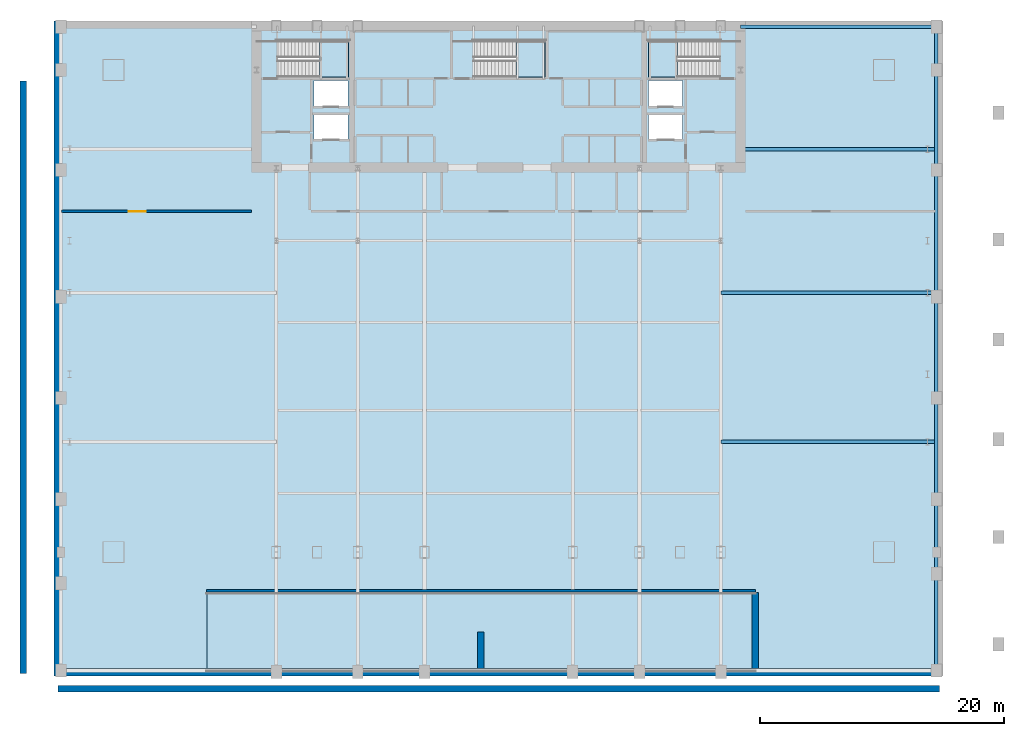
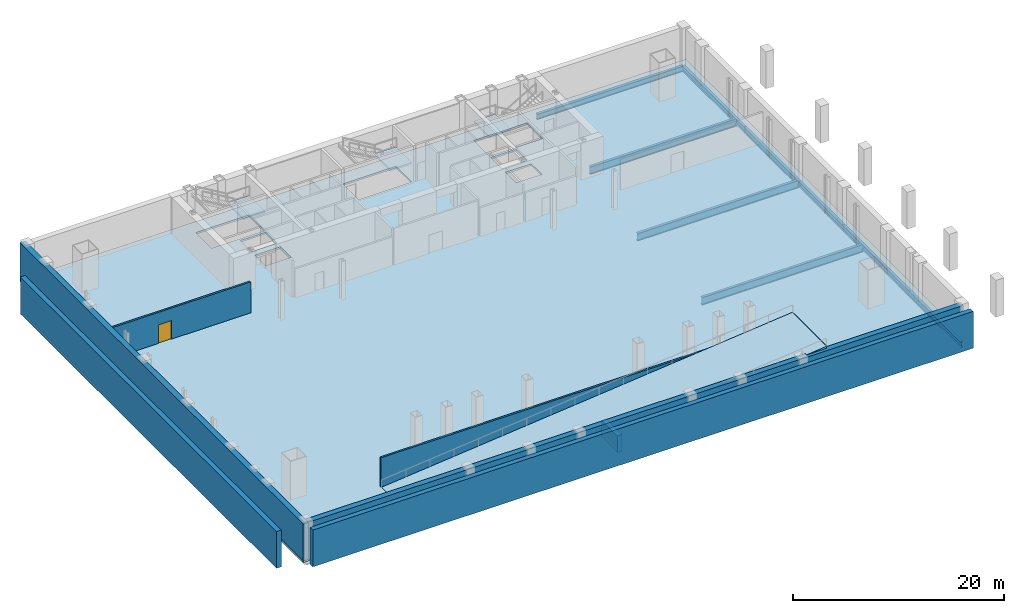
# One storey, part 6 of 10: 9 beams, 8 walls, 5 slabs, 1 door, 1 opening, 3 elements without a shape of their own.
"""IFC4 building model written with IfcOpenShell, lengths in metres."""

from ifc_helpers import new_model, si_unit, direction, frame, frame_2d, origin, origin_2d, place, context, subcontext, project, spatial, polyline, rectangle, i_section, outline, extrude, material, layer, layer_set, material_profile, profile_set, type_object, element, fill, aggregate, save


model = new_model("IFC4")

# Units and contexts
model_context = context("Model", 3, precision=1e-05, world=origin(), true_north=direction((0.0, 1.0)))
body_context = subcontext(model_context, "Body", "Model", "MODEL_VIEW")
ifc_project = project(units=[si_unit("LENGTHUNIT", "METRE"), si_unit("AREAUNIT", "SQUARE_METRE"), si_unit("VOLUMEUNIT", "CUBIC_METRE"), si_unit("PLANEANGLEUNIT", "RADIAN"), si_unit("MASSUNIT", "GRAM", prefix="KILO")], contexts=[model_context])

# Site, building, storey
site_placement = place(None, origin())
site = spatial("IfcSite", under=ifc_project, at=site_placement, CompositionType="ELEMENT")
building_placement = place(site_placement, origin())
building = spatial("IfcBuilding", under=site, at=building_placement, Name="Khoronbel Lancet Exchange", CompositionType="ELEMENT")
storey_placement = place(building_placement, frame((0.0, 0.0, -4.5)))
storey = spatial("IfcBuildingStorey", under=building, at=storey_placement, Name="B1", CompositionType="ELEMENT", Elevation=-4.5)

# Beams
ifc_material_1 = material(Name="Steel S355", Category="steel")
ifc_material_profile_1 = material_profile(ifc_material_1, i_section(OverallWidth=0.300048828125, OverallDepth=0.89990234375, WebThickness=0.0185546875, FlangeThickness=0.034912109375, at=origin_2d()), Name="HEB 900")
ifc_profile_set_1 = profile_set([ifc_material_profile_1], Name="Steel S355")
beam_type_1 = type_object("IfcBeamType", Name="BM-BG1", PredefinedType="BEAM", material=ifc_profile_set_1)
for number, where, z_axis, x_axis, name in (
    (1, (54.675048828125, 19.199951171875, -0.669921875), (1.0, 0.0, 0.0), (0.0, 1.0, 0.0), "Level B1 east lens tie girder LG1E"),
    (2, (54.675048828125, 31.425048828125, -0.669921875), (1.0, 0.0, 0.0), (0.0, 1.0, 0.0), "Level B1 east lens tie girder LG2E"),
):
    element("IfcBeam", number, at=place(storey_placement, frame(where, z_axis=z_axis, x_axis=x_axis)), inside=storey, type_object=beam_type_1, Name=name, PredefinedType="BEAM", context=body_context, shape_type="SweptSolid", body=[
        extrude(i_section(OverallWidth=0.300048828125, OverallDepth=0.89990234375, WebThickness=0.0185546875, FlangeThickness=0.034912109375, at=origin_2d()), origin(), (0.0, 0.0, 1.0), 17.675048828125),
    ])
beam_1_placement = place(storey_placement, frame((56.300048828125, 43.199951171875, -0.669921875), z_axis=(1.0, 0.0, 0.0), x_axis=(0.0, 1.0, 0.0)))
element("IfcBeam", 3, at=beam_1_placement, inside=storey, type_object=beam_type_1, Name="Level B1 east lens tie girder LG3E", PredefinedType="BEAM", context=body_context, shape_type="SweptSolid", body=[
    extrude(i_section(OverallWidth=0.300048828125, OverallDepth=0.89990234375, WebThickness=0.0185546875, FlangeThickness=0.034912109375, at=origin_2d()), origin(), (0.0, 0.0, 1.0), 16.050048828125),
])
ifc_material_profile_2 = material_profile(ifc_material_1, i_section(OverallWidth=0.300048828125, OverallDepth=0.64990234375, WebThickness=0.01611328125, FlangeThickness=0.031005859375, at=origin_2d()), Name="HEB 650")
ifc_profile_set_2 = profile_set([ifc_material_profile_2], Name="Steel S355")
beam_type_2 = type_object("IfcBeamType", Name="BM-BSP1", PredefinedType="SPANDREL", material=ifc_profile_set_2)
beam_2_placement = place(storey_placement, frame((72.35009765625, 0.449951171875, -0.544921875), z_axis=(0.0, 1.0, 0.0), x_axis=(-1.0, 0.0, 0.0)))
element("IfcBeam", 4, at=beam_2_placement, inside=storey, type_object=beam_type_2, Name="Level B1 perimeter spandrel beam SP08", PredefinedType="SPANDREL", context=body_context, shape_type="SweptSolid", body=[
    extrude(i_section(OverallWidth=0.300048828125, OverallDepth=0.64990234375, WebThickness=0.01611328125, FlangeThickness=0.031005859375, at=origin_2d()), origin(), (0.0, 0.0, 1.0), 14.050048828125),
])
for number, where, z_axis, x_axis, name in (
    (5, (72.35009765625, 14.5, -0.544921875), (0.0, 1.0, 0.0), (-1.0, 0.0, 0.0), "Level B1 perimeter spandrel beam SP09"),
    (6, (72.35009765625, 22.800048828125, -0.544921875), (0.0, 1.0, 0.0), (-1.0, 0.0, 0.0), "Level B1 perimeter spandrel beam SP10"),
):
    element("IfcBeam", number, at=place(storey_placement, frame(where, z_axis=z_axis, x_axis=x_axis)), inside=storey, type_object=beam_type_2, Name=name, PredefinedType="SPANDREL", context=body_context, shape_type="SweptSolid", body=[
        extrude(i_section(OverallWidth=0.300048828125, OverallDepth=0.64990234375, WebThickness=0.01611328125, FlangeThickness=0.031005859375, at=origin_2d()), origin(), (0.0, 0.0, 1.0), 8.300048828125),
    ])
beam_3_placement = place(storey_placement, frame((72.35009765625, 31.10009765625, -0.544921875), z_axis=(0.0, 1.0, 0.0), x_axis=(-1.0, 0.0, 0.0)))
element("IfcBeam", 7, at=beam_3_placement, inside=storey, type_object=beam_type_2, Name="Level B1 perimeter spandrel beam SP11", PredefinedType="SPANDREL", context=body_context, shape_type="SweptSolid", body=[
    extrude(i_section(OverallWidth=0.300048828125, OverallDepth=0.64990234375, WebThickness=0.01611328125, FlangeThickness=0.031005859375, at=origin_2d()), origin(), (0.0, 0.0, 1.0), 10.39990234375),
])
beam_4_placement = place(storey_placement, frame((72.35009765625, 41.5, -0.544921875), z_axis=(0.0, 1.0, 0.0), x_axis=(-1.0, 0.0, 0.0)))
element("IfcBeam", 8, at=beam_4_placement, inside=storey, type_object=beam_type_2, Name="Level B1 perimeter spandrel beam SP12", PredefinedType="SPANDREL", context=body_context, shape_type="SweptSolid", body=[
    extrude(i_section(OverallWidth=0.300048828125, OverallDepth=0.64990234375, WebThickness=0.01611328125, FlangeThickness=0.031005859375, at=origin_2d()), origin(), (0.0, 0.0, 1.0), 11.75),
])
beam_5_placement = place(storey_placement, frame((72.35009765625, 53.25, -0.544921875), z_axis=(-1.0, 0.0, 0.0), x_axis=(0.0, -1.0, 0.0)))
element("IfcBeam", 9, at=beam_5_placement, inside=storey, type_object=beam_type_2, Name="Level B1 perimeter spandrel beam SP13", PredefinedType="SPANDREL", context=body_context, shape_type="SweptSolid", body=[
    extrude(i_section(OverallWidth=0.300048828125, OverallDepth=0.64990234375, WebThickness=0.01611328125, FlangeThickness=0.031005859375, at=origin_2d()), origin(), (0.0, 0.0, 1.0), 16.050048828125),
])

# Slab
ifc_material_2 = material(Name="Concrete C40/50", Category="concrete")
ifc_layer_1 = layer(ifc_material_2, 0.219970703125, Name="Concrete C40/50")
ifc_layer_set_1 = layer_set([ifc_layer_1], Name="Concrete C40/50")
slab_type_1 = type_object("IfcSlabType", Name="SL-FL220", PredefinedType="FLOOR", material=ifc_layer_set_1)
slab_1_placement = place(storey_placement, frame((0.0, 0.0, -0.219970703125)))
element("IfcSlab", 10, at=slab_1_placement, inside=storey, type_object=slab_type_1, Name="Level B1 composite structural floor slab", PredefinedType="FLOOR", context=body_context, shape_type="SweptSolid", body=[
    extrude(outline(polyline([(0.0, 0.0), (72.89990234375, 0.0), (72.89990234375, 53.699951171875), (0.0, 53.699951171875), (0.0, 0.0)]), holes=[polyline([(18.324951171875, 49.1201171875), (24.14990234375, 49.1201171875), (24.14990234375, 52.10009765625), (18.324951171875, 52.10009765625), (18.324951171875, 49.1201171875)]), polyline([(48.75, 49.1201171875), (54.574951171875, 49.1201171875), (54.574951171875, 52.10009765625), (48.75, 52.10009765625), (48.75, 49.1201171875)]), polyline([(34.425048828125, 49.1201171875), (40.25, 49.1201171875), (40.25, 52.10009765625), (34.425048828125, 52.10009765625), (34.425048828125, 49.1201171875)]), polyline([(21.300048828125, 46.75), (24.10009765625, 46.75), (24.10009765625, 48.85009765625), (21.300048828125, 48.85009765625), (21.300048828125, 46.75)]), polyline([(48.75, 46.75), (51.550048828125, 46.75), (51.550048828125, 48.85009765625), (48.75, 48.85009765625), (48.75, 46.75)]), polyline([(21.300048828125, 44.050048828125), (24.10009765625, 44.050048828125), (24.10009765625, 46.050048828125), (21.300048828125, 46.050048828125), (21.300048828125, 44.050048828125)]), polyline([(48.75, 44.050048828125), (51.550048828125, 44.050048828125), (51.550048828125, 46.050048828125), (48.75, 46.050048828125), (48.75, 44.050048828125)]), polyline([(12.52001953125, 0.35009765625), (57.5, 0.35009765625), (57.5, 6.85009765625), (12.52001953125, 6.85009765625), (12.52001953125, 0.35009765625)])]), origin(), (0.0, 0.0, 1.0), 0.219970703125),
])

# Stair, slab
stair_type = type_object("IfcStairType", Name="STR-CORE150", PredefinedType="HALF_TURN_STAIR", material=ifc_material_2)
stair_1_placement = place(storey_placement, origin())
stair_1 = element("IfcStair", 11, at=stair_1_placement, inside=storey, type_object=stair_type, Name="B1 Protected Exit Stair ST1", PredefinedType="HALF_TURN_STAIR")
ifc_layer_2 = layer(ifc_material_2, 0.199951171875, Name="Concrete C40/50")
ifc_layer_set_2 = layer_set([ifc_layer_2], Name="Concrete C40/50")
slab_type_2 = type_object("IfcSlabType", Name="SL-LND180", PredefinedType="LANDING", material=ifc_layer_set_2)
slab_2_placement = place(storey_placement, frame((0.0, 0.0, 2.050048828125)))
slab_2 = element("IfcSlab", 12, at=slab_2_placement, type_object=slab_type_2, Name="ST1 landing 1", PredefinedType="LANDING", context=body_context, shape_type="SweptSolid", body=[
    extrude(outline(polyline([(21.780029296875, 49.1201171875), (24.14990234375, 49.1201171875), (24.14990234375, 52.10009765625), (21.780029296875, 52.10009765625), (21.780029296875, 49.1201171875)])), origin(), (0.0, 0.0, 1.0), 0.199951171875),
])
aggregate(stair_1, [slab_2])

stair_2_placement = place(storey_placement, origin())
stair_2 = element("IfcStair", 13, at=stair_2_placement, inside=storey, type_object=stair_type, Name="B1 Protected Exit Stair ST2", PredefinedType="HALF_TURN_STAIR")
slab_3_placement = place(storey_placement, frame((0.0, 0.0, 2.050048828125)))
slab_3 = element("IfcSlab", 14, at=slab_3_placement, type_object=slab_type_2, Name="ST2 landing 1", PredefinedType="LANDING", context=body_context, shape_type="SweptSolid", body=[
    extrude(outline(polyline([(51.1201171875, 52.10009765625), (48.75, 52.10009765625), (48.75, 49.1201171875), (51.1201171875, 49.1201171875), (51.1201171875, 52.10009765625)])), origin(), (0.0, 0.0, 1.0), 0.199951171875),
])
aggregate(stair_2, [slab_3])

stair_3_placement = place(storey_placement, origin())
stair_3 = element("IfcStair", 15, at=stair_3_placement, inside=storey, type_object=stair_type, Name="B1 Protected Exit Stair ST3", PredefinedType="HALF_TURN_STAIR")
slab_4_placement = place(storey_placement, frame((0.0, 0.0, 2.050048828125)))
slab_4 = element("IfcSlab", 16, at=slab_4_placement, type_object=slab_type_2, Name="ST3 landing 1", PredefinedType="LANDING", context=body_context, shape_type="SweptSolid", body=[
    extrude(outline(polyline([(37.8798828125, 49.1201171875), (40.25, 49.1201171875), (40.25, 52.10009765625), (37.8798828125, 52.10009765625), (37.8798828125, 49.1201171875)])), origin(), (0.0, 0.0, 1.0), 0.199951171875),
])
aggregate(stair_3, [slab_4])

# Slab
ifc_layer_3 = layer(ifc_material_2, 0.300048828125, Name="Concrete C40/50")
ifc_layer_set_3 = layer_set([ifc_layer_3], Name="Concrete C40/50")
slab_type_3 = type_object("IfcSlabType", Name="SL-VR300", PredefinedType="FLOOR", material=ifc_layer_set_3)
slab_5_placement = place(storey_placement, frame((12.52490234375, 0.35498046875, 0.0), z_axis=(-0.099568970234, 0.0, 0.995030662928), x_axis=(0.0, 1.0, 0.0)))
element("IfcSlab", 17, at=slab_5_placement, inside=storey, type_object=slab_type_3, Name="Basement car park two-way vehicle ramp slab VR1", PredefinedType="FLOOR", context=body_context, shape_type="SweptSolid", body=[
    extrude(outline(polyline([(0.0, 0.0), (6.489990234375, 0.0), (6.489990234375, -45.19482421875), (0.0, -45.19482421875), (0.0, 0.0)])), origin(), (0.0, 0.0, -1.0), 0.300048828125),
])

# Wall
ifc_material_3 = material(Name="Autoclaved Aerated Concrete Blockwork 200 mm", Category="masonry")
ifc_layer_4 = layer(ifc_material_3, 0.199951171875, Name="Autoclaved Aerated Concrete Blockwork 200 mm")
ifc_layer_set_4 = layer_set([ifc_layer_4], Name="Autoclaved Aerated Concrete Blockwork 200 mm")
wall_type_1 = type_object("IfcWallType", Name="WL-PRT200", PredefinedType="PARTITIONING", material=ifc_layer_set_4)
wall_1_placement = place(storey_placement, frame((12.5, 7.0, 0.0), z_axis=(0.0, 0.0, 1.0), x_axis=(1.0, 0.0, 0.0)))
element("IfcWall", 18, at=wall_1_placement, inside=storey, type_object=wall_type_1, Name="Level B1 interior partition PW-B1-RMPN", PredefinedType="PARTITIONING", context=body_context, shape_type="SweptSolid", body=[
    extrude(rectangle(XDim=45.0, YDim=0.199951171875, at=frame_2d((22.5, 0.0))), origin(), (0.0, 0.0, 1.0), 3.3701171875),
])

# Wall, opening, door
wall_2_placement = place(storey_placement, frame((0.60009765625, 38.10009765625, 0.0), z_axis=(0.0, 0.0, 1.0), x_axis=(1.0, 0.0, 0.0)))
wall_2 = element("IfcWall", 19, at=wall_2_placement, inside=storey, type_object=wall_type_1, Name="Level B1 interior partition PW-B1-NW", PredefinedType="PARTITIONING", context=body_context, shape_type="SweptSolid", body=[
    extrude(rectangle(XDim=15.599853515625, YDim=0.199951171875, at=frame_2d((7.7998046875, 0.0))), origin(), (0.0, 0.0, 1.0), 3.590087890625),
])
opening_placement = place(wall_2_placement, frame((5.5, 0.0, 0.0)))
opening = element("IfcOpeningElement", 20, at=opening_placement, cuts=wall_2, Name="Opening D7", PredefinedType="OPENING", context=body_context, shape_type="SweptSolid", body=[
    extrude(rectangle(XDim=1.39990234375, YDim=2.14990234375, at=frame_2d((0.699951171875, 1.074951171875))), frame((0.0, 0.10986328125, 0.0), z_axis=(0.0, -1.0, 0.0), x_axis=(1.0, 0.0, 0.0)), (0.0, 0.0, 1.0), 0.219970703125),
])
ifc_material_4 = material(Name="Fire-Rated Heavy Plant Double Door Assembly", Category="steel")
door_type = type_object("IfcDoorType", Name="DR-D7", OperationType="NOTDEFINED", PredefinedType="DOOR", material=ifc_material_4)
door_placement = place(opening_placement, origin())
door = element("IfcDoor", 21, at=door_placement, inside=storey, type_object=door_type, Name="EV charging switchroom door B1-1", OperationType="DOUBLE_DOOR_SINGLE_SWING", OverallHeight=2.14990234375, OverallWidth=1.39990234375, PredefinedType="DOOR", context=body_context, shape_type="SweptSolid", body=[
    extrude(rectangle(XDim=1.39990234375, YDim=2.14990234375, at=frame_2d((0.699951171875, 1.074951171875))), frame((0.0, 0.02490234375, 0.0), z_axis=(0.0, -1.0, 0.0), x_axis=(1.0, 0.0, 0.0)), (0.0, 0.0, 1.0), 0.050048828125),
])
fill(opening, door)

# Walls
ifc_material_5 = material(Name="Concrete C60/75", Category="concrete")
ifc_layer_5 = layer(ifc_material_5, 0.52001953125, Name="Concrete C60/75")
ifc_layer_set_5 = layer_set([ifc_layer_5], Name="Concrete C60/75")
wall_type_2 = type_object("IfcWallType", Name="WL-RET500", PredefinedType="SOLIDWALL", material=ifc_layer_set_5)
wall_3_placement = place(storey_placement, frame((35.0, 0.60009765625, 0.0), z_axis=(0.0, 0.0, 1.0), x_axis=(0.0, 1.0, 0.0)))
element("IfcWall", 22, at=wall_3_placement, inside=storey, type_object=wall_type_2, Name="Substructure vehicle ramp mid-span bearing pier", PredefinedType="SOLIDWALL", context=body_context, shape_type="SweptSolid", body=[
    extrude(rectangle(XDim=3.0, YDim=0.52001953125, at=frame_2d((1.5, 0.0))), origin(), (0.0, 0.0, 1.0), 1.945068359375),
])
wall_4_placement = place(storey_placement, frame((57.5, 0.60009765625, 0.0), z_axis=(0.0, 0.0, 1.0), x_axis=(0.0, 1.0, 0.0)))
element("IfcWall", 23, at=wall_4_placement, inside=storey, type_object=wall_type_2, Name="Substructure vehicle ramp head bearing wall", PredefinedType="SOLIDWALL", context=body_context, shape_type="SweptSolid", body=[
    extrude(rectangle(XDim=6.25, YDim=0.52001953125, at=frame_2d((3.125, 0.0))), origin(), (0.0, 0.0, 1.0), 4.195068359375),
])
wall_5_placement = place(storey_placement, frame((0.300048828125, -1.0400390625, 0.0), z_axis=(0.0, 0.0, 1.0), x_axis=(1.0, 0.0, 0.0)))
element("IfcWall", 24, at=wall_5_placement, inside=storey, type_object=wall_type_2, Name="Substructure south plaza apron retaining wall B1", PredefinedType="SOLIDWALL", context=body_context, shape_type="SweptSolid", body=[
    extrude(rectangle(XDim=72.300048828125, YDim=0.52001953125, at=frame_2d((36.14990234375, 0.0))), origin(), (0.0, 0.0, 1.0), 4.260009765625),
])
wall_6_placement = place(storey_placement, frame((-2.5400390625, 0.199951171875, 0.0), z_axis=(0.0, 0.0, 1.0), x_axis=(0.0, 1.0, 0.0)))
element("IfcWall", 25, at=wall_6_placement, inside=storey, type_object=wall_type_2, Name="Substructure west colonnade apron retaining wall B1", PredefinedType="SOLIDWALL", context=body_context, shape_type="SweptSolid", body=[
    extrude(rectangle(XDim=48.60009765625, YDim=0.52001953125, at=frame_2d((24.300048828125, 0.0))), origin(), (0.0, 0.0, 1.0), 4.260009765625),
])
ifc_layer_6 = layer(ifc_material_5, 0.60009765625, Name="Concrete C60/75")
ifc_layer_set_6 = layer_set([ifc_layer_6], Name="Concrete C60/75")
wall_type_3 = type_object("IfcWallType", Name="WL-RET600", PredefinedType="SOLIDWALL", material=ifc_layer_set_6)
wall_7_placement = place(storey_placement, frame((72.300048828125, 0.300048828125, 0.0), z_axis=(0.0, 0.0, 1.0), x_axis=(-1.0, 0.0, 0.0)))
element("IfcWall", 26, at=wall_7_placement, inside=storey, type_object=wall_type_3, Name="Basement B1 reinforced concrete retaining wall S", PredefinedType="SOLIDWALL", context=body_context, shape_type="SweptSolid", body=[
    extrude(rectangle(XDim=71.699951171875, YDim=0.60009765625, at=frame_2d((35.85009765625, 0.0))), origin(), (0.0, 0.0, 1.0), 4.280029296875),
])
wall_8_placement = place(storey_placement, frame((0.300048828125, 0.0, 0.0), z_axis=(0.0, 0.0, 1.0), x_axis=(0.0, 1.0, 0.0)))
element("IfcWall", 27, at=wall_8_placement, inside=storey, type_object=wall_type_3, Name="Basement B1 reinforced concrete retaining wall W", PredefinedType="SOLIDWALL", context=body_context, shape_type="SweptSolid", body=[
    extrude(rectangle(XDim=53.699951171875, YDim=0.60009765625, at=frame_2d((26.85009765625, 0.0))), origin(), (0.0, 0.0, 1.0), 4.280029296875),
])

save(model, "model.ifc")
